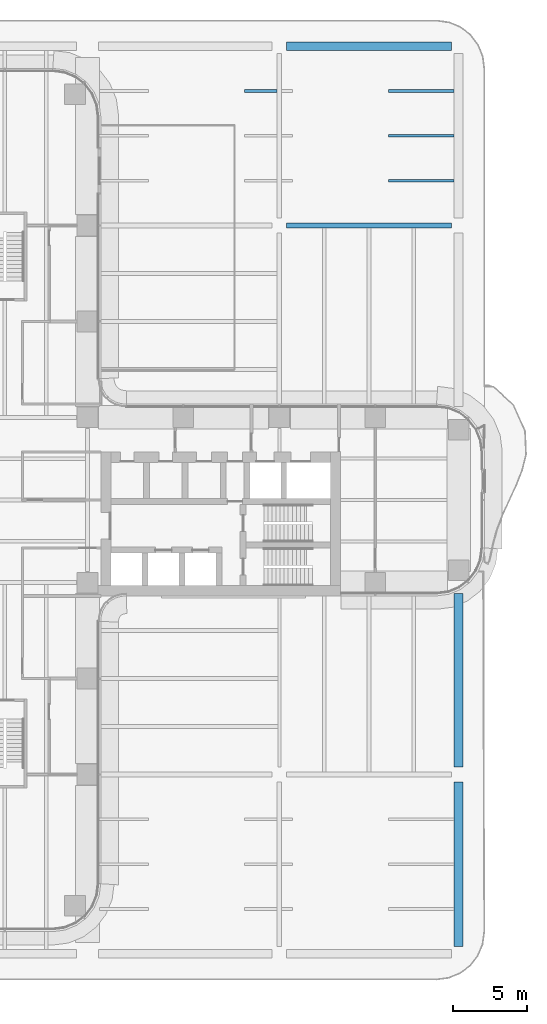
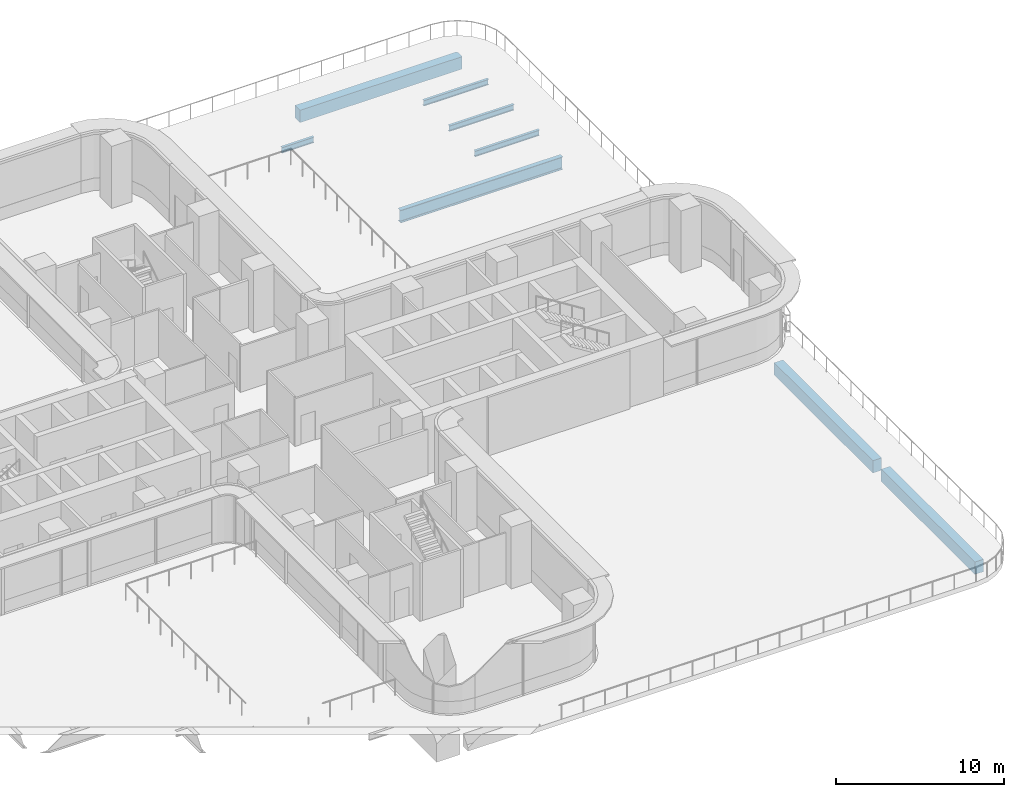
# One storey, part 16 of 29: 8 beams.
"""IFC4 building model written with IfcOpenShell, lengths in metres."""

from ifc_helpers import new_model, si_unit, direction, frame, origin, origin_2d, place, context, subcontext, project, spatial, rectangle, i_section, extrude, source, transform, mapped, material, material_profile, profile_set, type_object, element, save


model = new_model("IFC4")

# Units and contexts
model_context = context("Model", 3, precision=1e-05, world=origin(), true_north=direction((0.0, 1.0)))
body_context = subcontext(model_context, "Body", "Model", "MODEL_VIEW")
ifc_project = project(units=[si_unit("LENGTHUNIT", "METRE"), si_unit("AREAUNIT", "SQUARE_METRE"), si_unit("VOLUMEUNIT", "CUBIC_METRE"), si_unit("PLANEANGLEUNIT", "RADIAN"), si_unit("MASSUNIT", "GRAM", prefix="KILO")], contexts=[model_context])

# Site, building, storey
site_placement = place(None, origin())
site = spatial("IfcSite", under=ifc_project, at=site_placement, CompositionType="ELEMENT")
building_placement = place(site_placement, origin())
building = spatial("IfcBuilding", under=site, at=building_placement, Name="Trellis Farm Tower", CompositionType="ELEMENT")
storey_placement = place(building_placement, frame((0.0, 0.0, 34.0)))
storey = spatial("IfcBuildingStorey", under=building, at=storey_placement, Name="L06", CompositionType="ELEMENT", Elevation=34.0)

# Beams
ifc_material_1 = material(Name="Steel S355", Category="steel")
ifc_material_profile_1 = material_profile(ifc_material_1, i_section(OverallWidth=0.177978515625, OverallDepth=0.406494140625, WebThickness=0.0078125, FlangeThickness=0.0126953125, FilletRadius=0.01025390625, at=origin_2d()), Name="UB 406x178x60")
ifc_profile_set_1 = profile_set([ifc_material_profile_1], Name="Steel S355")
beam_type_1 = type_object("IfcBeamType", Name="UB 406x178x60 joist", PredefinedType="JOIST", material=ifc_profile_set_1)
shared_shape_1 = source(origin(), body_context, "Body", "SweptSolid", [
    extrude(i_section(OverallWidth=0.177978515625, OverallDepth=0.406494140625, WebThickness=0.0078125, FlangeThickness=0.0126953125, FilletRadius=0.01025390625, at=origin_2d()), origin(), (0.0, 0.0, 1.0), 2.197265625),
])
beam_1_placement = place(storey_placement, frame((16.25, 27.71240234375, -0.55322265625), z_axis=(1.0, 0.0, 0.0), x_axis=(0.0, 1.0, 0.0)))
element("IfcBeam", 1, at=beam_1_placement, inside=storey, type_object=beam_type_1, Name="Floor beam", PredefinedType="JOIST", context=body_context, shape_type="MappedRepresentation", body=[
    mapped(shared_shape_1, transform((0.0, 0.0, 0.0))),
])
ifc_material_profile_2 = material_profile(ifc_material_1, i_section(OverallWidth=0.305419921875, OverallDepth=0.91845703125, WebThickness=0.017333984375, FlangeThickness=0.02783203125, FilletRadius=0.01904296875, at=origin_2d()), Name="UB 914x305x253")
ifc_profile_set_2 = profile_set([ifc_material_profile_2], Name="Steel S355")
beam_type_2 = type_object("IfcBeamType", Name="UB 914x305x253", PredefinedType="BEAM", material=ifc_profile_set_2)
shared_shape_2 = source(origin(), body_context, "Body", "SweptSolid", [
    extrude(i_section(OverallWidth=0.305419921875, OverallDepth=0.91845703125, WebThickness=0.017333984375, FlangeThickness=0.02783203125, FilletRadius=0.01904296875, at=origin_2d()), origin(), (0.0, 0.0, 1.0), 11.14990234375),
])
beam_2_placement = place(storey_placement, frame((19.10009765625, 18.60009765625, -0.80908203125), z_axis=(1.0, 0.0, 0.0), x_axis=(0.0, 1.0, 0.0)))
element("IfcBeam", 2, at=beam_2_placement, inside=storey, type_object=beam_type_2, Name="Girder", PredefinedType="BEAM", context=body_context, shape_type="MappedRepresentation", body=[
    mapped(shared_shape_2, transform((0.0, 0.0, 0.0))),
])
ifc_material_2 = material(Name="Concrete C60/75", Category="concrete")
ifc_material_profile_3 = material_profile(ifc_material_2, rectangle(XDim=0.60009765625, YDim=0.89990234375, at=origin_2d()), Name="RC spandrel beam 600x900 C60/75")
ifc_profile_set_3 = profile_set([ifc_material_profile_3], Name="Concrete C60/75")
beam_type_3 = type_object("IfcBeamType", Name="RC spandrel beam 600x900 C60/75", PredefinedType="SPANDREL", material=ifc_profile_set_3)
shared_shape_3 = source(origin(), body_context, "Body", "SweptSolid", [
    extrude(rectangle(XDim=0.60009765625, YDim=0.89990234375, at=origin_2d()), origin(), (0.0, 0.0, 1.0), 11.75),
])
beam_3_placement = place(storey_placement, frame((30.75, -18.10009765625, -0.800048828125), z_axis=(0.0, 1.0, 0.0), x_axis=(-1.0, 0.0, 0.0)))
element("IfcBeam", 3, at=beam_3_placement, inside=storey, type_object=beam_type_3, Name="Girder", PredefinedType="SPANDREL", context=body_context, shape_type="MappedRepresentation", body=[
    mapped(shared_shape_3, transform((0.0, 0.0, 0.0))),
])
shared_shape_4 = source(origin(), body_context, "Body", "SweptSolid", [
    extrude(rectangle(XDim=0.60009765625, YDim=0.89990234375, at=origin_2d()), origin(), (0.0, 0.0, 1.0), 11.14990234375),
])
for number, where, z_axis, x_axis, name in (
    (4, (19.10009765625, 30.75, -0.800048828125), (1.0, 0.0, 0.0), (0.0, 1.0, 0.0), "Girder"),
    (5, (30.75, -30.25, -0.800048828125), (0.0, 1.0, 0.0), (-1.0, 0.0, 0.0), "Girder"),
):
    element("IfcBeam", number, at=place(storey_placement, frame(where, z_axis=z_axis, x_axis=x_axis)), inside=storey, type_object=beam_type_3, Name=name, PredefinedType="SPANDREL", context=body_context, shape_type="MappedRepresentation", body=[
        mapped(shared_shape_4, transform((0.0, 0.0, 0.0))),
    ])
shared_shape_5 = source(origin(), body_context, "Body", "SweptSolid", [
    extrude(i_section(OverallWidth=0.177978515625, OverallDepth=0.406494140625, WebThickness=0.0078125, FlangeThickness=0.0126953125, FilletRadius=0.01025390625, at=origin_2d()), origin(), (0.0, 0.0, 1.0), 4.449951171875),
])
for number, where, z_axis, x_axis, name in (
    (6, (26.0, 21.637451171875, -0.55322265625), (1.0, 0.0, 0.0), (0.0, 1.0, 0.0), "Floor beam"),
    (7, (26.0, 24.675048828125, -0.55322265625), (1.0, 0.0, 0.0), (0.0, 1.0, 0.0), "Floor beam"),
    (8, (26.0, 27.71240234375, -0.55322265625), (1.0, 0.0, 0.0), (0.0, 1.0, 0.0), "Floor beam"),
):
    element("IfcBeam", number, at=place(storey_placement, frame(where, z_axis=z_axis, x_axis=x_axis)), inside=storey, type_object=beam_type_1, Name=name, PredefinedType="JOIST", context=body_context, shape_type="MappedRepresentation", body=[
        mapped(shared_shape_5, transform((0.0, 0.0, 0.0))),
    ])

save(model, "model.ifc")
